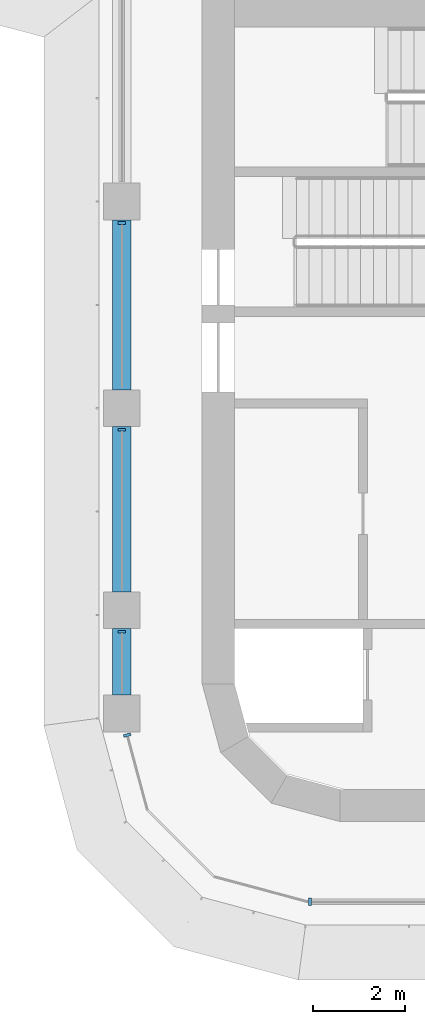
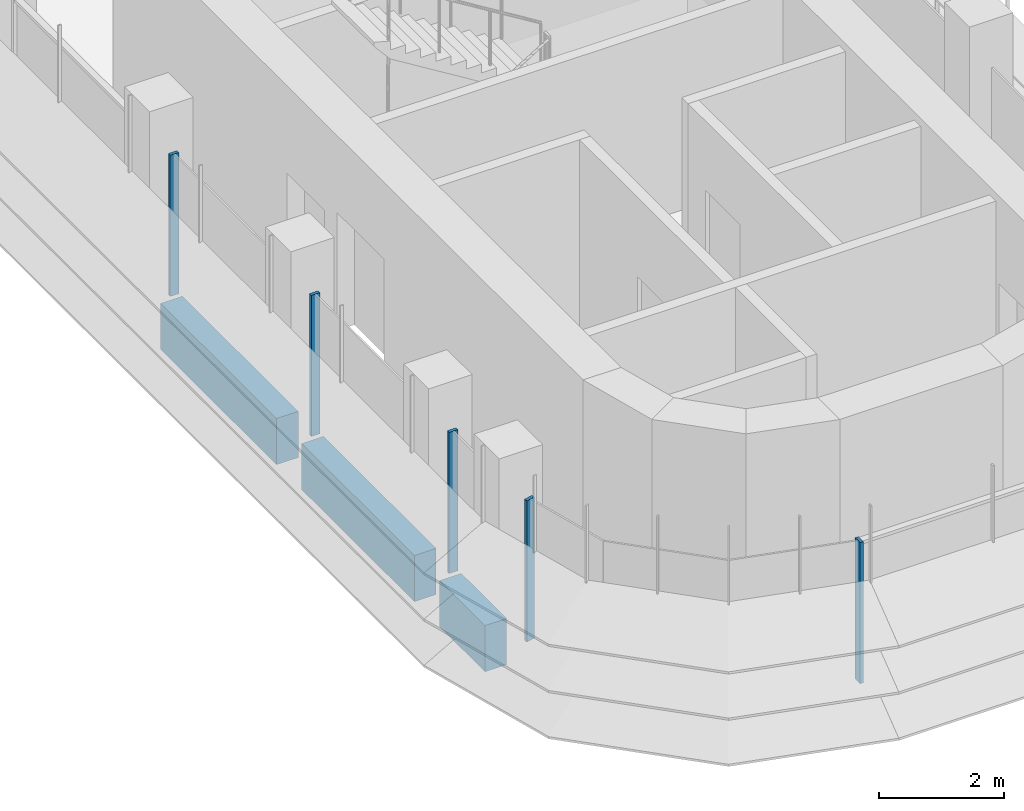
# One storey, part 2 of 20: 5 members, 3 beams, 3 elements without a shape of their own.
"""IFC4 building model written with IfcOpenShell, lengths in metres."""

from ifc_helpers import new_model, si_unit, direction, frame, origin, origin_2d, place, context, subcontext, project, spatial, polyline, rectangle, outline, extrude, source, transform, mapped, material, material_profile, profile_set, type_object, element, aggregate, save


model = new_model("IFC4")

# Units and contexts
model_context = context("Model", 3, precision=1e-05, world=origin(), true_north=direction((0.0, 1.0)))
body_context = subcontext(model_context, "Body", "Model", "MODEL_VIEW")
ifc_project = project(units=[si_unit("LENGTHUNIT", "METRE"), si_unit("AREAUNIT", "SQUARE_METRE"), si_unit("VOLUMEUNIT", "CUBIC_METRE"), si_unit("PLANEANGLEUNIT", "RADIAN"), si_unit("MASSUNIT", "GRAM", prefix="KILO")], contexts=[model_context])

# Site, building, storey
site_placement = place(None, origin())
site = spatial("IfcSite", under=ifc_project, at=site_placement, CompositionType="ELEMENT")
building_placement = place(site_placement, origin())
building = spatial("IfcBuilding", under=site, at=building_placement, Name="Zarbagh Exchange Tower", CompositionType="ELEMENT")
storey_placement = place(building_placement, frame((0.0, 0.0, 186.60009765625)))
storey = spatial("IfcBuildingStorey", under=building, at=storey_placement, Name="L45", CompositionType="ELEMENT", Elevation=186.60009765625)

# Beams
ifc_material_1 = material(Name="Concrete C50/60", Category="concrete")
ifc_material_profile = material_profile(ifc_material_1, rectangle(XDim=0.39990234375, YDim=0.89990234375, at=origin_2d()), Name="RC spandrel beam 400 x 900 C50/60")
ifc_profile_set = profile_set([ifc_material_profile], Name="Concrete C50/60")
beam_type = type_object("IfcBeamType", Name="RC spandrel beam 400 x 900 C50/60", PredefinedType="SPANDREL", material=ifc_profile_set)
beam_1_placement = place(storey_placement, frame((-6.25, -26.5, -0.60009765625), z_axis=(0.0, 1.0, 0.0), x_axis=(-1.0, 0.0, 0.0)))
element("IfcBeam", 1, at=beam_1_placement, inside=storey, type_object=beam_type, Name="RC spandrel beam", PredefinedType="SPANDREL", context=body_context, shape_type="SweptSolid", body=[
    extrude(rectangle(XDim=0.39990234375, YDim=0.89990234375, at=origin_2d()), origin(), (0.0, 0.0, 1.0), 1.449951171875),
])
beam_2_placement = place(storey_placement, frame((-6.25, -24.25, -0.60009765625), z_axis=(0.0, 1.0, 0.0), x_axis=(-1.0, 0.0, 0.0)))
element("IfcBeam", 2, at=beam_2_placement, inside=storey, type_object=beam_type, Name="RC spandrel beam", PredefinedType="SPANDREL", context=body_context, shape_type="SweptSolid", body=[
    extrude(rectangle(XDim=0.39990234375, YDim=0.89990234375, at=origin_2d()), origin(), (0.0, 0.0, 1.0), 3.60009765625),
])
beam_3_placement = place(storey_placement, frame((-6.25, -19.85009765625, -0.60009765625), z_axis=(0.0, 1.0, 0.0), x_axis=(-1.0, 0.0, 0.0)))
element("IfcBeam", 3, at=beam_3_placement, inside=storey, type_object=beam_type, Name="RC spandrel beam", PredefinedType="SPANDREL", context=body_context, shape_type="SweptSolid", body=[
    extrude(rectangle(XDim=0.39990234375, YDim=0.89990234375, at=origin_2d()), origin(), (0.0, 0.0, 1.0), 3.7001953125),
])

# Curtain wall, members
ifc_material_2 = material(Name="Anodised aluminium frame and glazing", Category="aluminium")
curtain_wall_type = type_object("IfcCurtainWallType", Name="CWB Ribbon glazing, upper zones", PredefinedType="NOTDEFINED", material=ifc_material_2)
curtain_wall_1_placement = place(storey_placement, origin())
curtain_wall_1 = element("IfcCurtainWall", 4, at=curtain_wall_1_placement, inside=storey, type_object=curtain_wall_type, Name="CWB53 curtain wall", PredefinedType="NOTDEFINED")
ifc_material_3 = material(Name="Anodised aluminium frame", Category="aluminium")
member_type = type_object("IfcMemberType", Name="MUB Mullion, anodised aluminium frame", PredefinedType="MULLION", material=ifc_material_3)
shared_shape = source(origin(), body_context, "Body", "SweptSolid", [
    extrude(outline(polyline([(0.0, -0.080078125), (0.06005859375, -0.080078125), (0.06005859375, 0.080078125), (0.0, 0.080078125), (0.0, -0.080078125)])), origin(), (0.0, 0.0, 1.0), 2.75),
])
placement = place(storey_placement, origin())
member_1 = element("IfcMember", 5, at=placement, type_object=member_type, Name="CWB53 mullion 2.1", PredefinedType="MULLION", context=body_context, shape_type="MappedRepresentation", body=[
    mapped(shared_shape, transform((-6.25, -16.18994140625, 0.0), x_axis=(0.0, -1.0, 0.0), y_axis=(1.0, 0.0, 0.0), z_axis=(0.0, 0.0, 1.0))),
])
member_2 = element("IfcMember", 6, at=placement, type_object=member_type, Name="CWB53 mullion 3.1", PredefinedType="MULLION", context=body_context, shape_type="MappedRepresentation", body=[
    mapped(shared_shape, transform((-6.25, -20.68994140625, 0.0), x_axis=(0.0, -1.0, 0.0), y_axis=(1.0, 0.0, 0.0), z_axis=(0.0, 0.0, 1.0))),
])
member_3 = element("IfcMember", 7, at=placement, type_object=member_type, Name="CWB53 mullion 4.1", PredefinedType="MULLION", context=body_context, shape_type="MappedRepresentation", body=[
    mapped(shared_shape, transform((-6.25, -25.090087890625, 0.0), x_axis=(0.0, -1.0, 0.0), y_axis=(1.0, 0.0, 0.0), z_axis=(0.0, 0.0, 1.0))),
])
aggregate(curtain_wall_1, [member_1, member_2, member_3])

# Curtain wall, member
curtain_wall_2_placement = place(storey_placement, origin())
curtain_wall_2 = element("IfcCurtainWall", 8, at=curtain_wall_2_placement, inside=storey, type_object=curtain_wall_type, Name="CWB54 curtain wall", PredefinedType="NOTDEFINED")
member_4 = element("IfcMember", 9, at=placement, type_object=member_type, Name="CWB54 mullion 1.1", PredefinedType="MULLION", context=body_context, shape_type="MappedRepresentation", body=[
    mapped(shared_shape, transform((-6.141357421875, -27.33984375, 0.0), x_axis=(0.258824779902, -0.965924289636, 0.0), y_axis=(0.965924289636, 0.258824779902, 0.0), z_axis=(0.0, 0.0, 1.0))),
])
aggregate(curtain_wall_2, [member_4])

curtain_wall_3_placement = place(storey_placement, origin())
curtain_wall_3 = element("IfcCurtainWall", 10, at=curtain_wall_3_placement, inside=storey, type_object=curtain_wall_type, Name="CWB57 curtain wall", PredefinedType="NOTDEFINED")
member_5 = element("IfcMember", 11, at=placement, type_object=member_type, Name="CWB57 mullion 1.1", PredefinedType="MULLION", context=body_context, shape_type="MappedRepresentation", body=[
    mapped(shared_shape, transform((-2.18408203125, -31.0, 0.0), x_axis=(1.0, 0.0, 0.0), y_axis=(0.0, 1.0, 0.0), z_axis=(0.0, 0.0, 1.0))),
])
aggregate(curtain_wall_3, [member_5])

save(model, "model.ifc")
